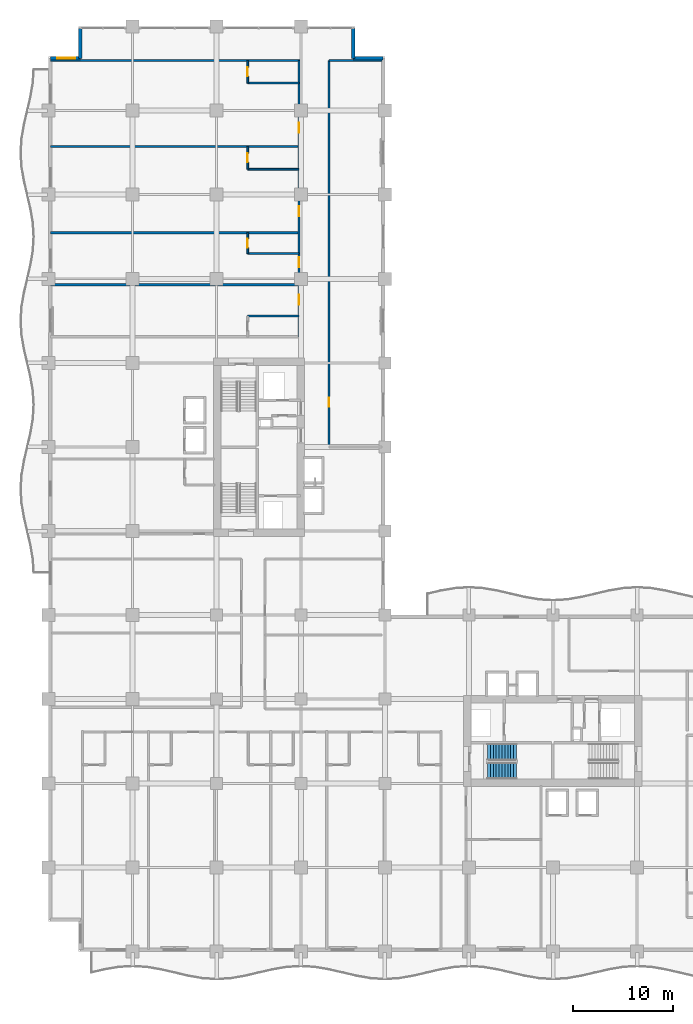
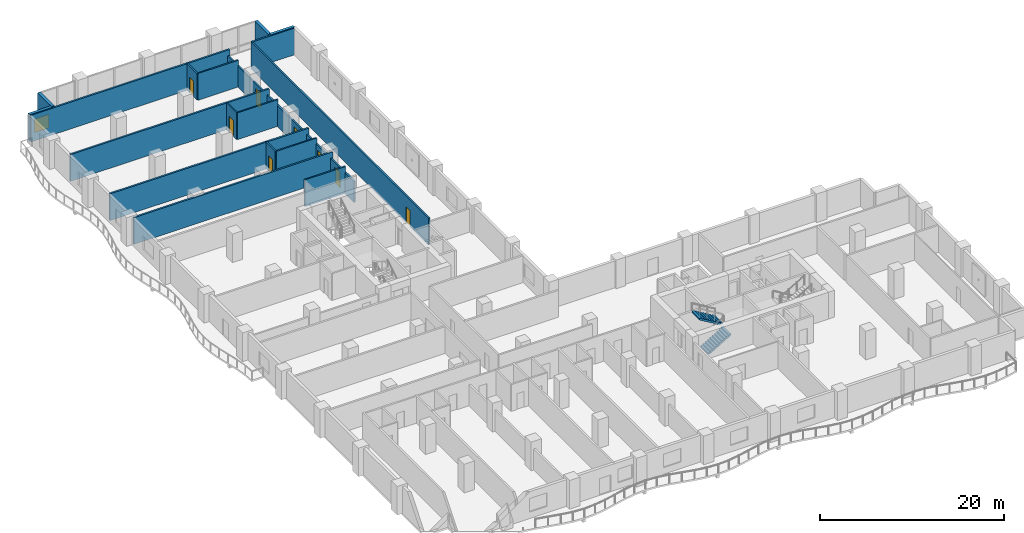
# One storey, part 13 of 20: 18 walls, 8 doors, 2 stair flights, 1 window, 9 openings, 1 element without a shape of its own.
"""IFC4 building model written with IfcOpenShell, lengths in metres."""

from ifc_helpers import new_model, si_unit, direction, frame, frame_2d, origin, place, context, subcontext, project, spatial, polyline, rectangle, outline, extrude, material, layer, layer_set, type_object, element, fill, aggregate, save


model = new_model("IFC4")

# Units and contexts
model_context = context("Model", 3, precision=1e-05, world=origin(), true_north=direction((0.0, 1.0)))
body_context = subcontext(model_context, "Body", "Model", "MODEL_VIEW")
ifc_project = project(units=[si_unit("LENGTHUNIT", "METRE"), si_unit("AREAUNIT", "SQUARE_METRE"), si_unit("VOLUMEUNIT", "CUBIC_METRE"), si_unit("PLANEANGLEUNIT", "RADIAN"), si_unit("MASSUNIT", "GRAM", prefix="KILO")], contexts=[model_context])

# Site, building, storey
site_placement = place(None, origin())
site = spatial("IfcSite", under=ifc_project, at=site_placement, CompositionType="ELEMENT")
building_placement = place(site_placement, origin())
building = spatial("IfcBuilding", under=site, at=building_placement, Name="Koriwani Terraces Tower", CompositionType="ELEMENT")
storey_placement = place(building_placement, frame((0.0, 0.0, 126.60009765625)))
storey = spatial("IfcBuildingStorey", under=building, at=storey_placement, Name="L30", CompositionType="ELEMENT", Elevation=126.60009765625)

# Wall, openings, doors
ifc_material_1 = material(Name="Autoclaved Cellular Concrete Blockwork", Category="masonry")
ifc_layer_1 = layer(ifc_material_1, 0.199951171875, Name="Autoclaved Cellular Concrete Blockwork")
ifc_layer_set_1 = layer_set([ifc_layer_1], Name="Autoclaved Cellular Concrete Blockwork")
wall_type_1 = type_object("IfcWallType", Name="WALL_CORRIDOR_200", PredefinedType="PARTITIONING", material=ifc_layer_set_1)
wall_1_placement = place(storey_placement, frame((25.0, 61.39990234375, 0.0), z_axis=(0.0, 0.0, 1.0), x_axis=(0.0, 1.0, 0.0)))
wall_1 = element("IfcWall", 1, at=wall_1_placement, inside=storey, type_object=wall_type_1, Name="L30 Interior Wall WCOR-L30-NE-0", PredefinedType="PARTITIONING", context=body_context, shape_type="SweptSolid", body=[
    extrude(rectangle(XDim=27.60009765625, YDim=0.199951171875, at=frame_2d((13.800048828125, 0.0))), origin(), (0.0, 0.0, 1.0), 2.7998046875),
])
opening_1_placement = place(wall_1_placement, frame((3.179931640625, 0.0, 0.0)))
opening_1 = element("IfcOpeningElement", 2, at=opening_1_placement, cuts=wall_1, Name="Opening D-05", PredefinedType="OPENING", context=body_context, shape_type="SweptSolid", body=[
    extrude(rectangle(XDim=1.0, YDim=2.14990234375, at=frame_2d((0.5, 1.074951171875))), frame((0.0, 0.10986328125, 0.0), z_axis=(0.0, -1.0, 0.0), x_axis=(1.0, 0.0, 0.0)), (0.0, 0.0, 1.0), 0.219970703125),
])
opening_2_placement = place(wall_1_placement, frame((6.969970703125, 0.0, 0.0)))
opening_2 = element("IfcOpeningElement", 3, at=opening_2_placement, cuts=wall_1, Name="Opening D-05", PredefinedType="OPENING", context=body_context, shape_type="SweptSolid", body=[
    extrude(rectangle(XDim=1.0, YDim=2.14990234375, at=frame_2d((0.5, 1.074951171875))), frame((0.0, 0.10986328125, 0.0), z_axis=(0.0, -1.0, 0.0), x_axis=(1.0, 0.0, 0.0)), (0.0, 0.0, 1.0), 0.219970703125),
])
opening_3_placement = place(wall_1_placement, frame((12.034912109375, 0.0, 0.0)))
opening_3 = element("IfcOpeningElement", 4, at=opening_3_placement, cuts=wall_1, Name="Opening D-05", PredefinedType="OPENING", context=body_context, shape_type="SweptSolid", body=[
    extrude(rectangle(XDim=1.0, YDim=2.14990234375, at=frame_2d((0.5, 1.074951171875))), frame((0.0, 0.10986328125, 0.0), z_axis=(0.0, -1.0, 0.0), x_axis=(1.0, 0.0, 0.0)), (0.0, 0.0, 1.0), 0.219970703125),
])
opening_4_placement = place(wall_1_placement, frame((20.385009765625, 0.0, 0.0)))
opening_4 = element("IfcOpeningElement", 5, at=opening_4_placement, cuts=wall_1, Name="Opening D-05", PredefinedType="OPENING", context=body_context, shape_type="SweptSolid", body=[
    extrude(rectangle(XDim=1.0, YDim=2.14990234375, at=frame_2d((0.5, 1.074951171875))), frame((0.0, 0.10986328125, 0.0), z_axis=(0.0, -1.0, 0.0), x_axis=(1.0, 0.0, 0.0)), (0.0, 0.0, 1.0), 0.219970703125),
])
ifc_material_2 = material(Name="Architectural Oak Fire Door", Category="wood")
door_type_1 = type_object("IfcDoorType", Name="DOOR_SUITE_ENTRY_1000X2150", OperationType="NOTDEFINED", PredefinedType="DOOR", material=ifc_material_2)
door_1_placement = place(opening_1_placement, origin())
door_1 = element("IfcDoor", 6, at=door_1_placement, inside=storey, type_object=door_type_1, Name="Luxury Hotel Suite 30NE1 Entrance Door", OperationType="SINGLE_SWING_RIGHT", OverallHeight=2.14990234375, OverallWidth=1.0, PredefinedType="DOOR", context=body_context, shape_type="SweptSolid", body=[
    extrude(rectangle(XDim=1.0, YDim=2.14990234375, at=frame_2d((0.5, 1.074951171875))), frame((0.0, 0.02490234375, 0.0), z_axis=(0.0, -1.0, 0.0), x_axis=(1.0, 0.0, 0.0)), (0.0, 0.0, 1.0), 0.050048828125),
])
fill(opening_1, door_1)
door_2_placement = place(opening_2_placement, origin())
door_2 = element("IfcDoor", 7, at=door_2_placement, inside=storey, type_object=door_type_1, Name="Luxury Hotel Suite 30NE2 Entrance Door", OperationType="SINGLE_SWING_RIGHT", OverallHeight=2.14990234375, OverallWidth=1.0, PredefinedType="DOOR", context=body_context, shape_type="SweptSolid", body=[
    extrude(rectangle(XDim=1.0, YDim=2.14990234375, at=frame_2d((0.5, 1.074951171875))), frame((0.0, 0.02490234375, 0.0), z_axis=(0.0, -1.0, 0.0), x_axis=(1.0, 0.0, 0.0)), (0.0, 0.0, 1.0), 0.050048828125),
])
fill(opening_2, door_2)
door_3_placement = place(opening_3_placement, origin())
door_3 = element("IfcDoor", 8, at=door_3_placement, inside=storey, type_object=door_type_1, Name="Luxury Hotel Suite 30NE3 Entrance Door", OperationType="SINGLE_SWING_RIGHT", OverallHeight=2.14990234375, OverallWidth=1.0, PredefinedType="DOOR", context=body_context, shape_type="SweptSolid", body=[
    extrude(rectangle(XDim=1.0, YDim=2.14990234375, at=frame_2d((0.5, 1.074951171875))), frame((0.0, 0.02490234375, 0.0), z_axis=(0.0, -1.0, 0.0), x_axis=(1.0, 0.0, 0.0)), (0.0, 0.0, 1.0), 0.050048828125),
])
fill(opening_3, door_3)
door_4_placement = place(opening_4_placement, origin())
door_4 = element("IfcDoor", 9, at=door_4_placement, inside=storey, type_object=door_type_1, Name="Luxury Hotel Suite 30NE4 Entrance Door", OperationType="SINGLE_SWING_RIGHT", OverallHeight=2.14990234375, OverallWidth=1.0, PredefinedType="DOOR", context=body_context, shape_type="SweptSolid", body=[
    extrude(rectangle(XDim=1.0, YDim=2.14990234375, at=frame_2d((0.5, 1.074951171875))), frame((0.0, 0.02490234375, 0.0), z_axis=(0.0, -1.0, 0.0), x_axis=(1.0, 0.0, 0.0)), (0.0, 0.0, 1.0), 0.050048828125),
])
fill(opening_4, door_4)

# Wall, opening, door
wall_2_placement = place(storey_placement, frame((28.0, 50.39990234375, 0.0), z_axis=(0.0, 0.0, 1.0), x_axis=(0.0, 1.0, 0.0)))
wall_2 = element("IfcWall", 10, at=wall_2_placement, inside=storey, type_object=wall_type_1, Name="L30 Interior Wall WNEC-W-L30", PredefinedType="PARTITIONING", context=body_context, shape_type="SweptSolid", body=[
    extrude(rectangle(XDim=38.60009765625, YDim=0.199951171875, at=frame_2d((19.300048828125, 0.0))), origin(), (0.0, 0.0, 1.0), 3.5498046875),
])
opening_5_placement = place(wall_2_placement, frame((4.0, 0.0, 0.0)))
opening_5 = element("IfcOpeningElement", 11, at=opening_5_placement, cuts=wall_2, Name="Opening D-06", PredefinedType="OPENING", context=body_context, shape_type="SweptSolid", body=[
    extrude(rectangle(XDim=0.919921875, YDim=2.10009765625, at=frame_2d((0.4599609375, 1.050048828125))), frame((0.0, 0.10986328125, 0.0), z_axis=(0.0, -1.0, 0.0), x_axis=(1.0, 0.0, 0.0)), (0.0, 0.0, 1.0), 0.219970703125),
])
door_type_2 = type_object("IfcDoorType", Name="DOOR_ROOM_INT_920X2100", OperationType="NOTDEFINED", PredefinedType="DOOR", material=ifc_material_2)
door_5_placement = place(opening_5_placement, origin())
door_5 = element("IfcDoor", 12, at=door_5_placement, inside=storey, type_object=door_type_2, Name="L30 North Court Study Door", OperationType="SINGLE_SWING_RIGHT", OverallHeight=2.10009765625, OverallWidth=0.919921875, PredefinedType="DOOR", context=body_context, shape_type="SweptSolid", body=[
    extrude(rectangle(XDim=0.919921875, YDim=2.10009765625, at=frame_2d((0.4599609375, 1.050048828125))), frame((0.0, 0.02490234375, 0.0), z_axis=(0.0, -1.0, 0.0), x_axis=(1.0, 0.0, 0.0)), (0.0, 0.0, 1.0), 0.050048828125),
])
fill(opening_5, door_5)

# Walls
ifc_layer_2 = layer(ifc_material_1, 0.219970703125, Name="Autoclaved Cellular Concrete Blockwork")
ifc_layer_set_2 = layer_set([ifc_layer_2], Name="Autoclaved Cellular Concrete Blockwork")
wall_type_2 = type_object("IfcWallType", Name="WALL_DEMISING_220", PredefinedType="PARTITIONING", material=ifc_layer_set_2)
for number, where, z_axis, x_axis, name in (
    (13, (0.199951171875, 66.60009765625, 0.0), (0.0, 0.0, 1.0), (1.0, 0.0, 0.0), "L30 Interior Wall WDEM-L30-NE-1"),
    (14, (0.199951171875, 71.800048828125, 0.0), (0.0, 0.0, 1.0), (1.0, 0.0, 0.0), "L30 Interior Wall WDEM-L30-NE-2"),
    (15, (0.199951171875, 80.39990234375, 0.0), (0.0, 0.0, 1.0), (1.0, 0.0, 0.0), "L30 Interior Wall WDEM-L30-NE-3"),
    (16, (0.199951171875, 89.0, 0.0), (0.0, 0.0, 1.0), (1.0, 0.0, 0.0), "L30 Interior Wall WDEME-L30-NE"),
):
    element("IfcWall", number, at=place(storey_placement, frame(where, z_axis=z_axis, x_axis=x_axis)), inside=storey, type_object=wall_type_2, Name=name, PredefinedType="PARTITIONING", context=body_context, shape_type="SweptSolid", body=[
        extrude(rectangle(XDim=24.97998046875, YDim=0.219970703125, at=frame_2d((12.489990234375, 0.0))), origin(), (0.0, 0.0, 1.0), 3.5498046875),
    ])
wall_3_placement = place(storey_placement, frame((28.0, 89.0, 0.0), z_axis=(0.0, 0.0, 1.0), x_axis=(1.0, 0.0, 0.0)))
element("IfcWall", 17, at=wall_3_placement, inside=storey, type_object=wall_type_2, Name="L30 Interior Wall WNEC-N-L30", PredefinedType="PARTITIONING", context=body_context, shape_type="SweptSolid", body=[
    extrude(rectangle(XDim=5.300048828125, YDim=0.219970703125, at=frame_2d((2.64990234375, 0.0))), origin(), (0.0, 0.0, 1.0), 3.5498046875),
])

# Wall, opening, window
ifc_material_3 = material(Name="Concrete C50/60", Category="concrete")
ifc_layer_3 = layer(ifc_material_3, 0.35009765625, Name="Concrete C50/60")
ifc_layer_set_3 = layer_set([ifc_layer_3], Name="Concrete C50/60")
wall_type_3 = type_object("IfcWallType", Name="WALL_EXT_BRUTALIST_350", PredefinedType="STANDARD", material=ifc_layer_set_3)
wall_4_placement = place(storey_placement, frame((0.175048828125, 89.22509765625, 0.0), z_axis=(0.0, 0.0, 1.0), x_axis=(1.0, 0.0, 0.0)))
wall_4 = element("IfcWall", 18, at=wall_4_placement, inside=storey, type_object=wall_type_3, Name="L30 Fair-Faced Brutalist Exterior Wall (N3)", PredefinedType="STANDARD", context=body_context, shape_type="SweptSolid", body=[
    extrude(rectangle(XDim=3.0, YDim=0.35009765625, at=frame_2d((1.5, 0.0))), origin(), (0.0, 0.0, 1.0), 3.5498046875),
])
opening_6_placement = place(wall_4_placement, frame((0.677490234375, 0.0, 0.85009765625)))
opening_6 = element("IfcOpeningElement", 19, at=opening_6_placement, cuts=wall_4, Name="Opening W-04", PredefinedType="OPENING", context=body_context, shape_type="SweptSolid", body=[
    extrude(rectangle(XDim=1.800048828125, YDim=1.800048828125, at=frame_2d((0.89990234375, 0.89990234375))), frame((0.0, 0.18505859375, 0.0), z_axis=(0.0, -1.0, 0.0), x_axis=(1.0, 0.0, 0.0)), (0.0, 0.0, 1.0), 0.3701171875),
])
ifc_material_4 = material(Name="Tempered Laminated Low-E Glass", Category="glass")
window_type = type_object("IfcWindowType", Name="WIN_RES_BED_1800X1800", PartitioningType="DOUBLE_PANEL_VERTICAL", PredefinedType="WINDOW", material=ifc_material_4)
window_placement = place(opening_6_placement, origin())
window = element("IfcWindow", 20, at=window_placement, inside=storey, type_object=window_type, Name="L30 Exterior Window (N3-R51)", OverallHeight=1.800048828125, OverallWidth=1.800048828125, PartitioningType="SINGLE_PANEL", PredefinedType="WINDOW", context=body_context, shape_type="SweptSolid", body=[
    extrude(rectangle(XDim=1.800048828125, YDim=1.800048828125, at=frame_2d((0.89990234375, 0.89990234375))), frame((0.0, 0.030029296875, 0.0), z_axis=(0.0, -1.0, 0.0), x_axis=(1.0, 0.0, 0.0)), (0.0, 0.0, 1.0), 0.06005859375),
])
fill(opening_6, window)

# Walls
for number, where, z_axis, x_axis, name in (
    (21, (3.175048828125, 89.22509765625, 0.0), (0.0, 0.0, 1.0), (0.0, 1.0, 0.0), "L30 Fair-Faced Brutalist Exterior Wall (N4)"),
    (22, (30.425048828125, 92.22509765625, 0.0), (0.0, 0.0, 1.0), (0.0, -1.0, 0.0), "L30 Fair-Faced Brutalist Exterior Wall (N6)"),
    (23, (30.425048828125, 89.22509765625, 0.0), (0.0, 0.0, 1.0), (1.0, 0.0, 0.0), "L30 Fair-Faced Brutalist Exterior Wall (N7)"),
):
    element("IfcWall", number, at=place(storey_placement, frame(where, z_axis=z_axis, x_axis=x_axis)), inside=storey, type_object=wall_type_3, Name=name, PredefinedType="STANDARD", context=body_context, shape_type="SweptSolid", body=[
        extrude(rectangle(XDim=3.0, YDim=0.35009765625, at=frame_2d((1.5, 0.0))), origin(), (0.0, 0.0, 1.0), 3.5498046875),
    ])
ifc_material_5 = material(Name="Fire-Rated Acoustic Gypsum Partition", Category="masonry")
ifc_layer_4 = layer(ifc_material_5, 0.179931640625, Name="Fire-Rated Acoustic Gypsum Partition")
ifc_layer_set_4 = layer_set([ifc_layer_4], Name="Fire-Rated Acoustic Gypsum Partition")
wall_type_4 = type_object("IfcWallType", Name="WALL_PLUMBING_180", PredefinedType="PLUMBINGWALL", material=ifc_layer_set_4)
wall_5_placement = place(storey_placement, frame((19.89990234375, 63.47998046875, 0.0), z_axis=(0.0, 0.0, 1.0), x_axis=(1.0, 0.0, 0.0)))
element("IfcWall", 24, at=wall_5_placement, inside=storey, type_object=wall_type_4, Name="L30 Interior Wall WBTH2-L30-NE-0", PredefinedType="PLUMBINGWALL", context=body_context, shape_type="SweptSolid", body=[
    extrude(rectangle(XDim=5.10009765625, YDim=0.179931640625, at=frame_2d((2.550048828125, 0.0))), origin(), (0.0, 0.0, 1.0), 3.5498046875),
])

# Wall, opening, door
wall_6_placement = place(storey_placement, frame((19.89990234375, 69.719970703125, 0.0), z_axis=(0.0, 0.0, 1.0), x_axis=(0.0, 1.0, 0.0)))
wall_6 = element("IfcWall", 25, at=wall_6_placement, inside=storey, type_object=wall_type_4, Name="L30 Interior Wall WBTH1-L30-NE-1", PredefinedType="PLUMBINGWALL", context=body_context, shape_type="SweptSolid", body=[
    extrude(rectangle(XDim=2.080078125, YDim=0.179931640625, at=frame_2d((1.0400390625, 0.0))), origin(), (0.0, 0.0, 1.0), 3.5498046875),
])
opening_7_placement = place(wall_6_placement, frame((0.590087890625, 0.0, 0.0)))
opening_7 = element("IfcOpeningElement", 26, at=opening_7_placement, cuts=wall_6, Name="Opening D-07", PredefinedType="OPENING", context=body_context, shape_type="SweptSolid", body=[
    extrude(rectangle(XDim=0.89990234375, YDim=2.10009765625, at=frame_2d((0.449951171875, 1.050048828125))), frame((0.0, 0.10009765625, 0.0), z_axis=(0.0, -1.0, 0.0), x_axis=(1.0, 0.0, 0.0)), (0.0, 0.0, 1.0), 0.199951171875),
])
door_type_3 = type_object("IfcDoorType", Name="DOOR_BATH_INT_900X2100", OperationType="NOTDEFINED", PredefinedType="DOOR", material=ifc_material_2)
door_6_placement = place(opening_7_placement, origin())
door_6 = element("IfcDoor", 27, at=door_6_placement, inside=storey, type_object=door_type_3, Name="En-Suite Bathroom 30NE2 Door", OperationType="SINGLE_SWING_LEFT", OverallHeight=2.10009765625, OverallWidth=0.89990234375, PredefinedType="DOOR", context=body_context, shape_type="SweptSolid", body=[
    extrude(rectangle(XDim=0.89990234375, YDim=2.10009765625, at=frame_2d((0.449951171875, 1.050048828125))), frame((0.0, 0.02490234375, 0.0), z_axis=(0.0, -1.0, 0.0), x_axis=(1.0, 0.0, 0.0)), (0.0, 0.0, 1.0), 0.050048828125),
])
fill(opening_7, door_6)

# Wall
wall_7_placement = place(storey_placement, frame((19.89990234375, 69.719970703125, 0.0), z_axis=(0.0, 0.0, 1.0), x_axis=(1.0, 0.0, 0.0)))
element("IfcWall", 28, at=wall_7_placement, inside=storey, type_object=wall_type_4, Name="L30 Interior Wall WBTH2-L30-NE-1", PredefinedType="PLUMBINGWALL", context=body_context, shape_type="SweptSolid", body=[
    extrude(rectangle(XDim=5.10009765625, YDim=0.179931640625, at=frame_2d((2.550048828125, 0.0))), origin(), (0.0, 0.0, 1.0), 3.5498046875),
])

# Wall, opening, door
wall_8_placement = place(storey_placement, frame((19.89990234375, 78.14990234375, 0.0), z_axis=(0.0, 0.0, 1.0), x_axis=(0.0, 1.0, 0.0)))
wall_8 = element("IfcWall", 29, at=wall_8_placement, inside=storey, type_object=wall_type_4, Name="L30 Interior Wall WBTH1-L30-NE-2", PredefinedType="PLUMBINGWALL", context=body_context, shape_type="SweptSolid", body=[
    extrude(rectangle(XDim=2.25, YDim=0.179931640625, at=frame_2d((1.125, 0.0))), origin(), (0.0, 0.0, 1.0), 3.5498046875),
])
opening_8_placement = place(wall_8_placement, frame((0.675048828125, 0.0, 0.0)))
opening_8 = element("IfcOpeningElement", 30, at=opening_8_placement, cuts=wall_8, Name="Opening D-07", PredefinedType="OPENING", context=body_context, shape_type="SweptSolid", body=[
    extrude(rectangle(XDim=0.89990234375, YDim=2.10009765625, at=frame_2d((0.449951171875, 1.050048828125))), frame((0.0, 0.10009765625, 0.0), z_axis=(0.0, -1.0, 0.0), x_axis=(1.0, 0.0, 0.0)), (0.0, 0.0, 1.0), 0.199951171875),
])
door_7_placement = place(opening_8_placement, origin())
door_7 = element("IfcDoor", 31, at=door_7_placement, inside=storey, type_object=door_type_3, Name="En-Suite Bathroom 30NE3 Door", OperationType="SINGLE_SWING_LEFT", OverallHeight=2.10009765625, OverallWidth=0.89990234375, PredefinedType="DOOR", context=body_context, shape_type="SweptSolid", body=[
    extrude(rectangle(XDim=0.89990234375, YDim=2.10009765625, at=frame_2d((0.449951171875, 1.050048828125))), frame((0.0, 0.02490234375, 0.0), z_axis=(0.0, -1.0, 0.0), x_axis=(1.0, 0.0, 0.0)), (0.0, 0.0, 1.0), 0.050048828125),
])
fill(opening_8, door_7)

# Wall
wall_9_placement = place(storey_placement, frame((19.89990234375, 78.14990234375, 0.0), z_axis=(0.0, 0.0, 1.0), x_axis=(1.0, 0.0, 0.0)))
element("IfcWall", 32, at=wall_9_placement, inside=storey, type_object=wall_type_4, Name="L30 Interior Wall WBTH2-L30-NE-2", PredefinedType="PLUMBINGWALL", context=body_context, shape_type="SweptSolid", body=[
    extrude(rectangle(XDim=5.10009765625, YDim=0.179931640625, at=frame_2d((2.550048828125, 0.0))), origin(), (0.0, 0.0, 1.0), 3.5498046875),
])

# Wall, opening, door
wall_10_placement = place(storey_placement, frame((19.89990234375, 86.75, 0.0), z_axis=(0.0, 0.0, 1.0), x_axis=(0.0, 1.0, 0.0)))
wall_10 = element("IfcWall", 33, at=wall_10_placement, inside=storey, type_object=wall_type_4, Name="L30 Interior Wall WBTH1-L30-NE-3", PredefinedType="PLUMBINGWALL", context=body_context, shape_type="SweptSolid", body=[
    extrude(rectangle(XDim=2.25, YDim=0.179931640625, at=frame_2d((1.125, 0.0))), origin(), (0.0, 0.0, 1.0), 3.5498046875),
])
opening_9_placement = place(wall_10_placement, frame((0.675048828125, 0.0, 0.0)))
opening_9 = element("IfcOpeningElement", 34, at=opening_9_placement, cuts=wall_10, Name="Opening D-07", PredefinedType="OPENING", context=body_context, shape_type="SweptSolid", body=[
    extrude(rectangle(XDim=0.89990234375, YDim=2.10009765625, at=frame_2d((0.449951171875, 1.050048828125))), frame((0.0, 0.10009765625, 0.0), z_axis=(0.0, -1.0, 0.0), x_axis=(1.0, 0.0, 0.0)), (0.0, 0.0, 1.0), 0.199951171875),
])
door_8_placement = place(opening_9_placement, origin())
door_8 = element("IfcDoor", 35, at=door_8_placement, inside=storey, type_object=door_type_3, Name="En-Suite Bathroom 30NE4 Door", OperationType="SINGLE_SWING_LEFT", OverallHeight=2.10009765625, OverallWidth=0.89990234375, PredefinedType="DOOR", context=body_context, shape_type="SweptSolid", body=[
    extrude(rectangle(XDim=0.89990234375, YDim=2.10009765625, at=frame_2d((0.449951171875, 1.050048828125))), frame((0.0, 0.02490234375, 0.0), z_axis=(0.0, -1.0, 0.0), x_axis=(1.0, 0.0, 0.0)), (0.0, 0.0, 1.0), 0.050048828125),
])
fill(opening_9, door_8)

# Wall
wall_11_placement = place(storey_placement, frame((19.89990234375, 86.75, 0.0), z_axis=(0.0, 0.0, 1.0), x_axis=(1.0, 0.0, 0.0)))
element("IfcWall", 36, at=wall_11_placement, inside=storey, type_object=wall_type_4, Name="L30 Interior Wall WBTH2-L30-NE-3", PredefinedType="PLUMBINGWALL", context=body_context, shape_type="SweptSolid", body=[
    extrude(rectangle(XDim=5.10009765625, YDim=0.179931640625, at=frame_2d((2.550048828125, 0.0))), origin(), (0.0, 0.0, 1.0), 3.5498046875),
])

# Stair, stair flights
ifc_material_6 = material(Name="Concrete C40/50", Category="concrete")
stair_type = type_object("IfcStairType", Name="STAIR_CORE_DOGLEG_1650", PredefinedType="TWO_STRAIGHT_RUN_STAIR", material=ifc_material_6)
stair_placement = place(storey_placement, origin())
stair = element("IfcStair", 37, at=stair_placement, inside=storey, type_object=stair_type, Name="L30 East Core Exit Stair 1", PredefinedType="HALF_TURN_STAIR")
stair_flight_type = type_object("IfcStairFlightType", Name="STAIR_FLIGHT_RC_1650", PredefinedType="STRAIGHT", material=ifc_material_6)
stair_flight_1_placement = place(storey_placement, frame((43.85009765625, 18.074951171875, 0.0), z_axis=(0.0, 0.0, 1.0), x_axis=(1.0, 0.0, 0.0)))
stair_flight_1 = element("IfcStairFlight", 38, at=stair_flight_1_placement, type_object=stair_flight_type, Name="ST-E1 flight 1", NumberOfRisers=11, NumberOfTreads=10, PredefinedType="STRAIGHT", RiserHeight=0.172727273, TreadLength=0.29, context=body_context, shape_type="SweptSolid", body=[
    extrude(outline(polyline([(0.0, 0.0), (0.0, 0.172607421875), (0.2900390625, 0.172607421875), (0.2900390625, 0.345458984375), (0.580078125, 0.345458984375), (0.580078125, 0.51806640625), (0.8701171875, 0.51806640625), (0.8701171875, 0.69091796875), (1.159912109375, 0.69091796875), (1.159912109375, 0.863525390625), (1.449951171875, 0.863525390625), (1.449951171875, 1.036376953125), (1.739990234375, 1.036376953125), (1.739990234375, 1.208984375), (2.030029296875, 1.208984375), (2.030029296875, 1.3818359375), (2.320068359375, 1.3818359375), (2.320068359375, 1.554443359375), (2.610107421875, 1.554443359375), (2.610107421875, 1.727294921875), (2.89990234375, 1.727294921875), (2.89990234375, 1.89990234375), (2.89990234375, 1.517822265625), (0.3515625, 0.0), (0.0, 0.0)])), frame((0.0, 0.824951171875, 0.0), z_axis=(0.0, -1.0, 0.0), x_axis=(1.0, 0.0, 0.0)), (0.0, 0.0, 1.0), 1.64990234375),
])
stair_flight_2_placement = place(storey_placement, frame((46.75, 19.925048828125, 1.89990234375), z_axis=(0.0, 0.0, 1.0), x_axis=(-1.0, 0.0, 0.0)))
stair_flight_2 = element("IfcStairFlight", 39, at=stair_flight_2_placement, type_object=stair_flight_type, Name="ST-E1 flight 2", NumberOfRisers=11, NumberOfTreads=10, PredefinedType="STRAIGHT", RiserHeight=0.172727273, TreadLength=0.29, context=body_context, shape_type="SweptSolid", body=[
    extrude(outline(polyline([(0.0, 0.0), (0.0, 0.172607421875), (0.2900390625, 0.172607421875), (0.2900390625, 0.345458984375), (0.580078125, 0.345458984375), (0.580078125, 0.51806640625), (0.8701171875, 0.51806640625), (0.8701171875, 0.69091796875), (1.159912109375, 0.69091796875), (1.159912109375, 0.863525390625), (1.449951171875, 0.863525390625), (1.449951171875, 1.036376953125), (1.739990234375, 1.036376953125), (1.739990234375, 1.208984375), (2.030029296875, 1.208984375), (2.030029296875, 1.3818359375), (2.320068359375, 1.3818359375), (2.320068359375, 1.554443359375), (2.610107421875, 1.554443359375), (2.610107421875, 1.727294921875), (2.89990234375, 1.727294921875), (2.89990234375, 1.89990234375), (2.89990234375, 1.517822265625), (0.3515625, 0.0), (0.0, 0.0)])), frame((0.0, 0.824951171875, 0.0), z_axis=(0.0, -1.0, 0.0), x_axis=(1.0, 0.0, 0.0)), (0.0, 0.0, 1.0), 1.64990234375),
])
aggregate(stair, [stair_flight_1, stair_flight_2])

save(model, "model.ifc")
